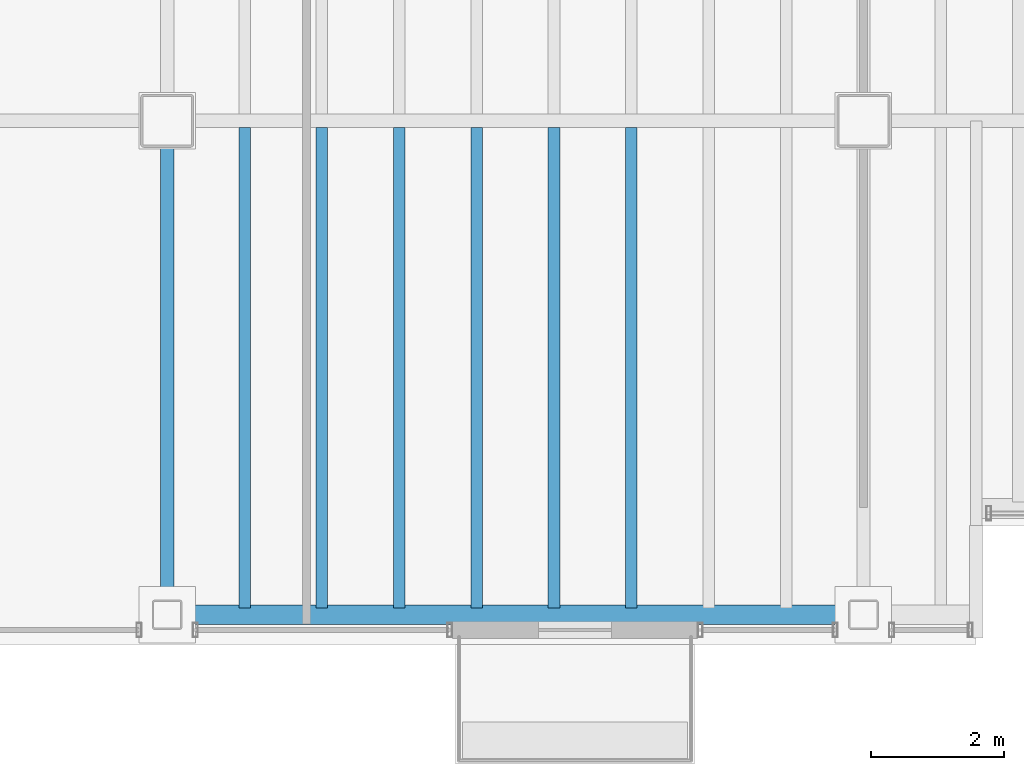
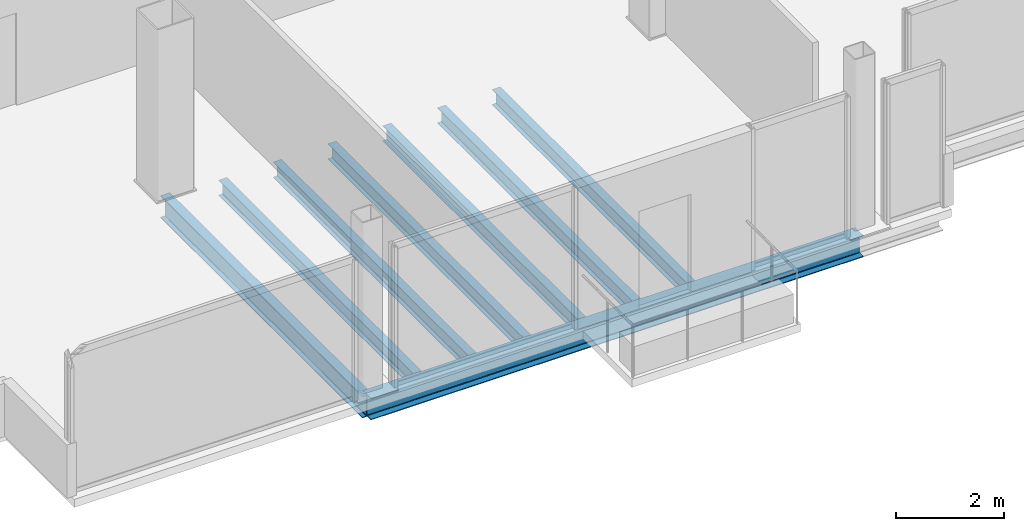
# One storey, part 3 of 16: 8 beams.
"""IFC4 building model written with IfcOpenShell, lengths in metres."""

from ifc_helpers import new_model, si_unit, direction, frame, origin, origin_2d, place, context, subcontext, project, spatial, i_section, extrude, material, material_profile, profile_set, type_object, element, save


model = new_model("IFC4")

# Units and contexts
model_context = context("Model", 3, precision=1e-05, world=origin(), true_north=direction((0.0, 1.0)))
body_context = subcontext(model_context, "Body", "Model", "MODEL_VIEW")
ifc_project = project(units=[si_unit("LENGTHUNIT", "METRE"), si_unit("AREAUNIT", "SQUARE_METRE"), si_unit("VOLUMEUNIT", "CUBIC_METRE"), si_unit("PLANEANGLEUNIT", "RADIAN"), si_unit("MASSUNIT", "GRAM", prefix="KILO")], contexts=[model_context])

# Site, building, storey
site_placement = place(None, origin())
site = spatial("IfcSite", under=ifc_project, at=site_placement, CompositionType="ELEMENT")
building_placement = place(site_placement, origin())
building = spatial("IfcBuilding", under=site, at=building_placement, Name="Noeulbin Bourse Tower", CompositionType="ELEMENT")
storey_placement = place(building_placement, frame((0.0, 0.0, 238.39990234375)))
storey = spatial("IfcBuildingStorey", under=building, at=storey_placement, Name="L59", CompositionType="ELEMENT", Elevation=238.39990234375)

# Beams
ifc_material = material(Name="Steel S355", Category="steel")
ifc_material_profile_1 = material_profile(ifc_material, i_section(OverallWidth=0.199951171875, OverallDepth=0.5, WebThickness=0.010009765625, FlangeThickness=0.01611328125, FilletRadius=0.02001953125, at=origin_2d()), Name="H-500x200x10x16", Category="LoadBearing")
ifc_profile_set_1 = profile_set([ifc_material_profile_1], Name="Steel S355")
beam_type_1 = type_object("IfcBeamType", Name="BM-GRD-500", PredefinedType="USERDEFINED", material=ifc_profile_set_1)
beam_1_placement = place(storey_placement, frame((13.5, 12.550048828125, -0.429931640625), z_axis=(0.0, 1.0, 0.0), x_axis=(-1.0, 0.0, 0.0)))
element("IfcBeam", 1, at=beam_1_placement, inside=storey, type_object=beam_type_1, Name="Tower Primary Girder NS L59-1.1", ObjectType="GIRDER", PredefinedType="USERDEFINED", context=body_context, shape_type="SweptSolid", body=[
    extrude(i_section(OverallWidth=0.199951171875, OverallDepth=0.5, WebThickness=0.010009765625, FlangeThickness=0.01611328125, FilletRadius=0.02001953125, at=origin_2d()), origin(), (0.0, 0.0, 1.0), 7.449951171875),
])
ifc_material_profile_2 = material_profile(ifc_material, i_section(OverallWidth=0.175048828125, OverallDepth=0.35009765625, WebThickness=0.007080078125, FlangeThickness=0.010986328125, FilletRadius=0.013916015625, at=origin_2d()), Name="H-350x175x7x11", Category="LoadBearing")
ifc_profile_set_2 = profile_set([ifc_material_profile_2], Name="Steel S355")
beam_type_2 = type_object("IfcBeamType", Name="BM-JST-350", PredefinedType="JOIST", material=ifc_profile_set_2)
for number, where, z_axis, x_axis, name in (
    (2, (14.666748046875, 12.64990234375, -0.35498046875), (0.0, 1.0, 0.0), (-1.0, 0.0, 0.0), "Tower Composite Joist L59-01"),
    (3, (15.833251953125, 12.64990234375, -0.35498046875), (0.0, 1.0, 0.0), (-1.0, 0.0, 0.0), "Tower Composite Joist L59-03"),
    (4, (17.0, 12.64990234375, -0.35498046875), (0.0, 1.0, 0.0), (-1.0, 0.0, 0.0), "Tower Composite Joist L59-05"),
    (5, (18.166748046875, 12.64990234375, -0.35498046875), (0.0, 1.0, 0.0), (-1.0, 0.0, 0.0), "Tower Composite Joist L59-07"),
    (6, (19.333251953125, 12.64990234375, -0.35498046875), (0.0, 1.0, 0.0), (-1.0, 0.0, 0.0), "Tower Composite Joist L59-09"),
    (7, (20.5, 12.64990234375, -0.35498046875), (0.0, 1.0, 0.0), (-1.0, 0.0, 0.0), "Tower Composite Joist L59-11"),
):
    element("IfcBeam", number, at=place(storey_placement, frame(where, z_axis=z_axis, x_axis=x_axis)), inside=storey, type_object=beam_type_2, Name=name, PredefinedType="JOIST", context=body_context, shape_type="SweptSolid", body=[
        extrude(i_section(OverallWidth=0.175048828125, OverallDepth=0.35009765625, WebThickness=0.007080078125, FlangeThickness=0.010986328125, FilletRadius=0.013916015625, at=origin_2d()), origin(), (0.0, 0.0, 1.0), 7.25),
    ])
ifc_material_profile_3 = material_profile(ifc_material, i_section(OverallWidth=0.300048828125, OverallDepth=0.488037109375, WebThickness=0.010986328125, FlangeThickness=0.01806640625, FilletRadius=0.02197265625, at=origin_2d()), Name="H-488x300x11x18", Category="LoadBearing")
ifc_profile_set_3 = profile_set([ifc_material_profile_3], Name="Steel S355")
beam_type_3 = type_object("IfcBeamType", Name="BM-SPN-488", PredefinedType="SPANDREL", material=ifc_profile_set_3)
beam_2_placement = place(storey_placement, frame((13.5, 12.550048828125, -0.423828125), z_axis=(1.0, 0.0, 0.0), x_axis=(0.0, 1.0, 0.0)))
element("IfcBeam", 8, at=beam_2_placement, inside=storey, type_object=beam_type_3, Name="South Spandrel L59-1", PredefinedType="SPANDREL", context=body_context, shape_type="SweptSolid", body=[
    extrude(i_section(OverallWidth=0.300048828125, OverallDepth=0.488037109375, WebThickness=0.010986328125, FlangeThickness=0.01806640625, FilletRadius=0.02197265625, at=origin_2d()), origin(), (0.0, 0.0, 1.0), 10.5),
])

save(model, "model.ifc")
